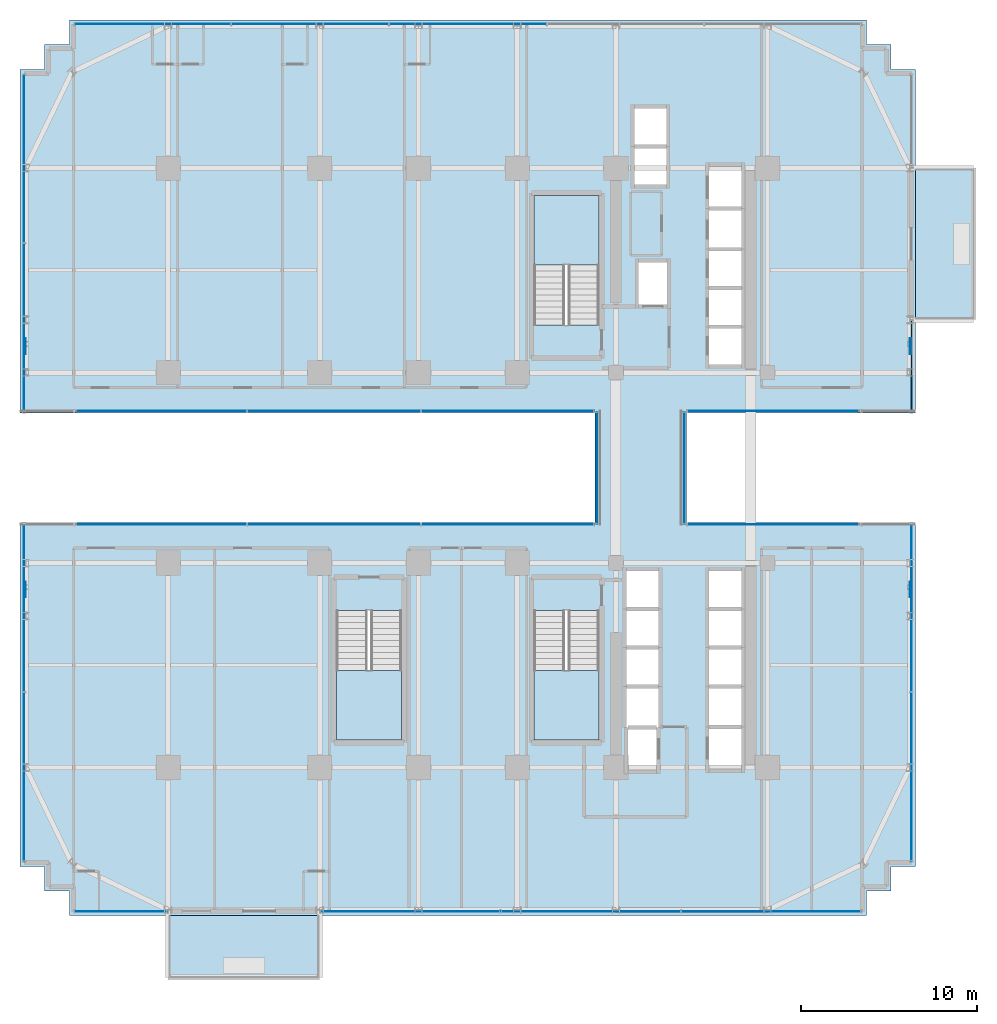
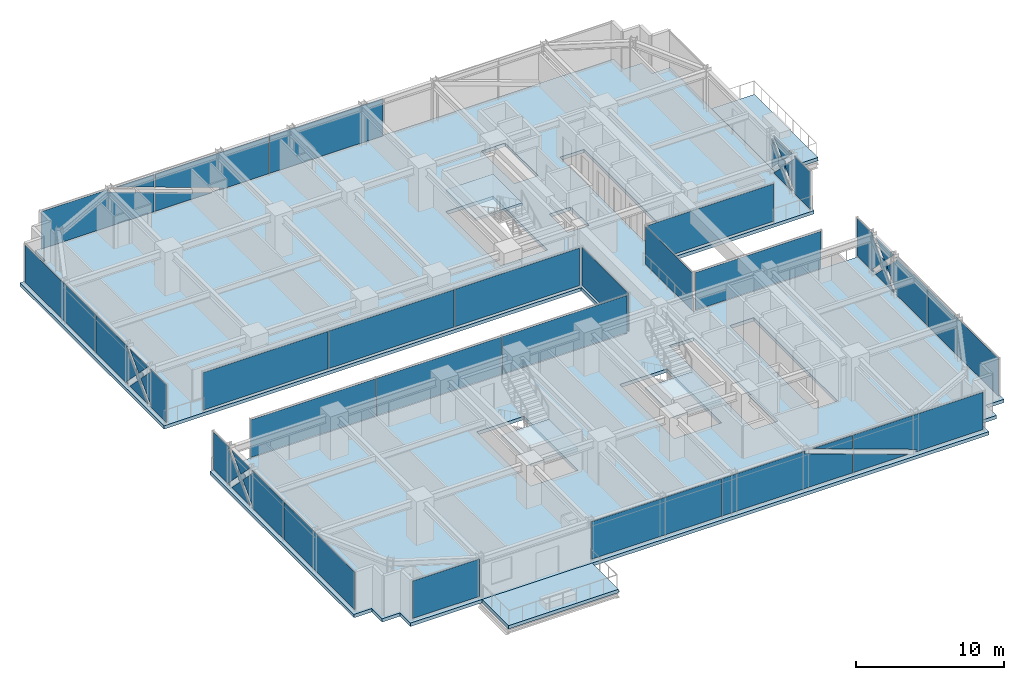
# One storey, part 34 of 43: 28 plates, 6 slabs, 16 elements without a shape of their own.
"""IFC4 building model written with IfcOpenShell, lengths in metres."""

from ifc_helpers import new_model, si_unit, direction, frame, origin, origin_2d, place, context, subcontext, project, spatial, polyline, rectangle, outline, extrude, source, transform, mapped, material, layer, layer_set, type_object, element, aggregate, save


model = new_model("IFC4")

# Units and contexts
model_context = context("Model", 3, precision=1e-05, world=origin(), true_north=direction((0.0, 1.0)))
body_context = subcontext(model_context, "Body", "Model", "MODEL_VIEW")
ifc_project = project(units=[si_unit("LENGTHUNIT", "METRE"), si_unit("AREAUNIT", "SQUARE_METRE"), si_unit("VOLUMEUNIT", "CUBIC_METRE"), si_unit("PLANEANGLEUNIT", "RADIAN"), si_unit("MASSUNIT", "GRAM", prefix="KILO")], contexts=[model_context])

# Site, building, storey
site_placement = place(None, origin())
site = spatial("IfcSite", under=ifc_project, at=site_placement, CompositionType="ELEMENT")
building_placement = place(site_placement, origin())
building = spatial("IfcBuilding", under=site, at=building_placement, Name="Nahalor Promenade Grand Hotel", CompositionType="ELEMENT")
storey_placement = place(building_placement, frame((0.0, 0.0, 57.949951171875)))
storey = spatial("IfcBuildingStorey", under=building, at=storey_placement, Name="L13", CompositionType="ELEMENT", Elevation=57.949951171875)

# Curtain wall, plates
ifc_material_1 = material(Name="Anodised Bronze Aluminium EN AW-6063 T6", Category="aluminium")
curtain_wall_type_1 = type_object("IfcCurtainWallType", Name="CW3 Elliptical-Void Collar Unitised Curtain Wall", PredefinedType="USERDEFINED", material=ifc_material_1)
curtain_wall_1_placement = place(storey_placement, origin())
curtain_wall_1 = element("IfcCurtainWall", 1, at=curtain_wall_1_placement, inside=storey, type_object=curtain_wall_type_1, Name="L13 Curtain Wall CW-L13-S-3", ObjectType="UNITISED_CURTAIN_WALL", PredefinedType="USERDEFINED")
ifc_material_2 = material(Name="Low-E Laminated Solar Glass", Category="glass")
ifc_layer_1 = layer(ifc_material_2, 0.030029296875)
ifc_layer_set_1 = layer_set([ifc_layer_1], Name="Low-E Laminated Solar Glass")
plate_type_1 = type_object("IfcPlateType", Name="CWP3 High-Wind Laminated Bronze IGU 30mm", PredefinedType="CURTAIN_PANEL", material=ifc_layer_set_1)
plate_1_placement = place(storey_placement, frame((6.97998046875, -25.159912109375, 0.14013671875), z_axis=(0.0, 0.0, 1.0), x_axis=(1.0, 0.0, 0.0)))
plate_1 = element("IfcPlate", 2, at=plate_1_placement, type_object=plate_type_1, Name="CW-L13-S-3 Glazing Panel 1-0", PredefinedType="CURTAIN_PANEL", context=body_context, shape_type="SweptSolid", body=[
    extrude(outline(polyline([(-5.091552734375, 0.0), (5.091552734375, 0.0), (5.091552734375, 1.556884765625), (1.3291015625, 2.900146484375), (1.39697265625, 3.090087890625), (-5.091552734375, 3.090087890625), (-5.091552734375, 0.0)])), frame((0.0, 0.01513671875, 0.0), z_axis=(0.0, -1.0, 0.0), x_axis=(1.0, 0.0, 0.0)), (0.0, 0.0, 1.0), 0.030029296875),
    extrude(outline(polyline([(5.091552734375, 1.981689453125), (5.091552734375, 3.090087890625), (1.98681640625, 3.090087890625), (5.091552734375, 1.981689453125)])), frame((0.0, 0.01513671875, 0.0), z_axis=(0.0, -1.0, 0.0), x_axis=(1.0, 0.0, 0.0)), (0.0, 0.0, 1.0), 0.030029296875),
])
plate_2_placement = place(storey_placement, frame((17.2158203125, -25.159912109375, 0.14013671875), z_axis=(0.0, 0.0, 1.0), x_axis=(1.0, 0.0, 0.0)))
plate_2 = element("IfcPlate", 3, at=plate_2_placement, type_object=plate_type_1, Name="CW-L13-S-3 Glazing Panel 2-0", PredefinedType="CURTAIN_PANEL", context=body_context, shape_type="SweptSolid", body=[
    extrude(outline(polyline([(5.07421875, 3.090087890625), (-5.07421875, 3.090087890625), (-5.07421875, 1.956787109375), (-0.125, 0.18994140625), (-0.19287109375, 0.0), (5.07421875, 0.0), (5.07421875, 3.090087890625)])), frame((0.0, 0.01513671875, 0.0), z_axis=(0.0, -1.0, 0.0), x_axis=(1.0, 0.0, 0.0)), (0.0, 0.0, 1.0), 0.030029296875),
    extrude(outline(polyline([(-5.07421875, 1.531982421875), (-5.07421875, 0.0), (-0.78271484375, 0.0), (-5.07421875, 1.531982421875)])), frame((0.0, 0.01513671875, 0.0), z_axis=(0.0, -1.0, 0.0), x_axis=(1.0, 0.0, 0.0)), (0.0, 0.0, 1.0), 0.030029296875),
])

curtain_wall_2_placement = place(storey_placement, origin())
curtain_wall_2 = element("IfcCurtainWall", 4, at=curtain_wall_2_placement, inside=storey, type_object=curtain_wall_type_1, Name="L13 Curtain Wall CW-L13-N-1", ObjectType="UNITISED_CURTAIN_WALL", PredefinedType="USERDEFINED")
plate_3_placement = place(storey_placement, frame((-17.87060546875, 25.159912109375, 0.14013671875), z_axis=(0.0, 0.0, 1.0), x_axis=(1.0, 0.0, 0.0)))
plate_3 = element("IfcPlate", 5, at=plate_3_placement, type_object=plate_type_1, Name="CW-L13-N-1 Glazing Panel 0-0", PredefinedType="CURTAIN_PANEL", context=body_context, shape_type="SweptSolid", body=[
    extrude(outline(polyline([(-4.41943359375, 0.0), (4.41943359375, 0.0), (4.41943359375, 1.600830078125), (0.77978515625, 2.900146484375), (0.847412109375, 3.090087890625), (-4.41943359375, 3.090087890625), (-4.41943359375, 0.0)])), frame((0.0, 0.01513671875, 0.0), z_axis=(0.0, -1.0, 0.0), x_axis=(1.0, 0.0, 0.0)), (0.0, 0.0, 1.0), 0.030029296875),
    extrude(outline(polyline([(4.41943359375, 2.025390625), (4.41943359375, 3.090087890625), (1.437255859375, 3.090087890625), (4.41943359375, 2.025390625)])), frame((0.0, 0.01513671875, 0.0), z_axis=(0.0, -1.0, 0.0), x_axis=(1.0, 0.0, 0.0)), (0.0, 0.0, 1.0), 0.030029296875),
])
plate_4_placement = place(storey_placement, frame((-8.944091796875, 25.159912109375, 0.14013671875), z_axis=(0.0, 0.0, 1.0), x_axis=(1.0, 0.0, 0.0)))
plate_4 = element("IfcPlate", 6, at=plate_4_placement, type_object=plate_type_1, Name="CW-L13-N-1 Glazing Panel 1-0", PredefinedType="CURTAIN_PANEL", context=body_context, shape_type="SweptSolid", body=[
    extrude(outline(polyline([(4.43701171875, 3.090087890625), (-4.43701171875, 3.090087890625), (-4.43701171875, 2.00048828125), (0.634765625, 0.18994140625), (0.56689453125, 0.0), (4.43701171875, 0.0), (4.43701171875, 3.090087890625)])), frame((0.0, 0.01513671875, 0.0), z_axis=(0.0, -1.0, 0.0), x_axis=(1.0, 0.0, 0.0)), (0.0, 0.0, 1.0), 0.030029296875),
    extrude(outline(polyline([(-4.43701171875, 1.57568359375), (-4.43701171875, 0.0), (-0.02294921875, 0.0), (-4.43701171875, 1.57568359375)])), frame((0.0, 0.01513671875, 0.0), z_axis=(0.0, -1.0, 0.0), x_axis=(1.0, 0.0, 0.0)), (0.0, 0.0, 1.0), 0.030029296875),
])

# Curtain wall, plate
curtain_wall_3_placement = place(storey_placement, origin())
curtain_wall_3 = element("IfcCurtainWall", 7, at=curtain_wall_3_placement, inside=storey, type_object=curtain_wall_type_1, Name="L13 Curtain Wall CW-L13-W-1", ObjectType="UNITISED_CURTAIN_WALL", PredefinedType="USERDEFINED")
plate_5_placement = place(storey_placement, frame((-25.159912109375, -7.9326171875, 0.14013671875), z_axis=(0.0, 0.0, 1.0), x_axis=(0.0, 1.0, 0.0)))
plate_5 = element("IfcPlate", 8, at=plate_5_placement, type_object=plate_type_1, Name="CW-L13-W-1 Glazing Panel 1-0", PredefinedType="CURTAIN_PANEL", context=body_context, shape_type="SweptSolid", body=[
    extrude(outline(polyline([(-4.762451171875, 3.090087890625), (-4.762451171875, 0.0), (-0.492919921875, 0.0), (-0.6279296875, 0.1318359375), (0.7529296875, 1.544921875), (-0.6279296875, 2.9580078125), (-0.492919921875, 3.090087890625), (-4.762451171875, 3.090087890625)])), frame((0.0, 0.01513671875, 0.0), z_axis=(0.0, -1.0, 0.0), x_axis=(1.0, 0.0, 0.0)), (0.0, 0.0, 1.0), 0.030029296875),
    extrude(outline(polyline([(1.032470703125, 1.2587890625), (-0.19775390625, 0.0), (2.2626953125, 0.0), (1.032470703125, 1.2587890625)])), frame((0.0, 0.01513671875, 0.0), z_axis=(0.0, -1.0, 0.0), x_axis=(1.0, 0.0, 0.0)), (0.0, 0.0, 1.0), 0.030029296875),
    extrude(outline(polyline([(1.032470703125, 1.831298828125), (2.2626953125, 3.090087890625), (-0.197509765625, 3.090087890625), (1.032470703125, 1.831298828125)])), frame((0.0, 0.01513671875, 0.0), z_axis=(0.0, -1.0, 0.0), x_axis=(1.0, 0.0, 0.0)), (0.0, 0.0, 1.0), 0.030029296875),
    extrude(outline(polyline([(4.762451171875, 0.0), (4.762451171875, 3.090087890625), (2.55810546875, 3.090087890625), (2.693115234375, 2.9580078125), (1.31201171875, 1.544921875), (2.693115234375, 0.1318359375), (2.55810546875, 0.0), (4.762451171875, 0.0)])), frame((0.0, 0.01513671875, 0.0), z_axis=(0.0, -1.0, 0.0), x_axis=(1.0, 0.0, 0.0)), (0.0, 0.0, 1.0), 0.030029296875),
])

curtain_wall_4_placement = place(storey_placement, origin())
curtain_wall_4 = element("IfcCurtainWall", 9, at=curtain_wall_4_placement, inside=storey, type_object=curtain_wall_type_1, Name="L13 Curtain Wall CW-L13-W-2", ObjectType="UNITISED_CURTAIN_WALL", PredefinedType="USERDEFINED")
plate_6_placement = place(storey_placement, frame((-25.159912109375, 7.9326171875, 0.14013671875), z_axis=(0.0, 0.0, 1.0), x_axis=(0.0, 1.0, 0.0)))
plate_6 = element("IfcPlate", 10, at=plate_6_placement, type_object=plate_type_1, Name="CW-L13-W-2 Glazing Panel 0-0", PredefinedType="CURTAIN_PANEL", context=body_context, shape_type="SweptSolid", body=[
    extrude(outline(polyline([(-4.762451171875, 3.090087890625), (-4.762451171875, 0.0), (-2.55810546875, 0.0), (-2.693115234375, 0.1318359375), (-1.31201171875, 1.544921875), (-2.693115234375, 2.9580078125), (-2.55810546875, 3.090087890625), (-4.762451171875, 3.090087890625)])), frame((0.0, 0.01513671875, 0.0), z_axis=(0.0, -1.0, 0.0), x_axis=(1.0, 0.0, 0.0)), (0.0, 0.0, 1.0), 0.030029296875),
    extrude(outline(polyline([(-1.032470703125, 1.2587890625), (-2.2626953125, 0.0), (0.197509765625, 0.0), (-1.032470703125, 1.2587890625)])), frame((0.0, 0.01513671875, 0.0), z_axis=(0.0, -1.0, 0.0), x_axis=(1.0, 0.0, 0.0)), (0.0, 0.0, 1.0), 0.030029296875),
    extrude(outline(polyline([(-1.032470703125, 1.831298828125), (0.19775390625, 3.090087890625), (-2.2626953125, 3.090087890625), (-1.032470703125, 1.831298828125)])), frame((0.0, 0.01513671875, 0.0), z_axis=(0.0, -1.0, 0.0), x_axis=(1.0, 0.0, 0.0)), (0.0, 0.0, 1.0), 0.030029296875),
    extrude(outline(polyline([(4.762451171875, 0.0), (4.762451171875, 3.090087890625), (0.492919921875, 3.090087890625), (0.6279296875, 2.9580078125), (-0.7529296875, 1.544921875), (0.6279296875, 0.1318359375), (0.492919921875, 0.0), (4.762451171875, 0.0)])), frame((0.0, 0.01513671875, 0.0), z_axis=(0.0, -1.0, 0.0), x_axis=(1.0, 0.0, 0.0)), (0.0, 0.0, 1.0), 0.030029296875),
])

curtain_wall_5_placement = place(storey_placement, origin())
curtain_wall_5 = element("IfcCurtainWall", 11, at=curtain_wall_5_placement, inside=storey, type_object=curtain_wall_type_1, Name="L13 Curtain Wall CW-L13-E-1", ObjectType="UNITISED_CURTAIN_WALL", PredefinedType="USERDEFINED")
plate_7_placement = place(storey_placement, frame((25.159912109375, -7.9326171875, 0.14013671875), z_axis=(0.0, 0.0, 1.0), x_axis=(0.0, 1.0, 0.0)))
plate_7 = element("IfcPlate", 12, at=plate_7_placement, type_object=plate_type_1, Name="CW-L13-E-1 Glazing Panel 1-0", PredefinedType="CURTAIN_PANEL", context=body_context, shape_type="SweptSolid", body=[
    extrude(outline(polyline([(-4.762451171875, 3.090087890625), (-4.762451171875, 0.0), (-0.492919921875, 0.0), (-0.6279296875, 0.1318359375), (0.7529296875, 1.544921875), (-0.6279296875, 2.9580078125), (-0.492919921875, 3.090087890625), (-4.762451171875, 3.090087890625)])), frame((0.0, 0.01513671875, 0.0), z_axis=(0.0, -1.0, 0.0), x_axis=(1.0, 0.0, 0.0)), (0.0, 0.0, 1.0), 0.030029296875),
    extrude(outline(polyline([(1.032470703125, 1.2587890625), (-0.19775390625, 0.0), (2.2626953125, 0.0), (1.032470703125, 1.2587890625)])), frame((0.0, 0.01513671875, 0.0), z_axis=(0.0, -1.0, 0.0), x_axis=(1.0, 0.0, 0.0)), (0.0, 0.0, 1.0), 0.030029296875),
    extrude(outline(polyline([(1.032470703125, 1.831298828125), (2.2626953125, 3.090087890625), (-0.197509765625, 3.090087890625), (1.032470703125, 1.831298828125)])), frame((0.0, 0.01513671875, 0.0), z_axis=(0.0, -1.0, 0.0), x_axis=(1.0, 0.0, 0.0)), (0.0, 0.0, 1.0), 0.030029296875),
    extrude(outline(polyline([(4.762451171875, 0.0), (4.762451171875, 3.090087890625), (2.55810546875, 3.090087890625), (2.693115234375, 2.9580078125), (1.31201171875, 1.544921875), (2.693115234375, 0.1318359375), (2.55810546875, 0.0), (4.762451171875, 0.0)])), frame((0.0, 0.01513671875, 0.0), z_axis=(0.0, -1.0, 0.0), x_axis=(1.0, 0.0, 0.0)), (0.0, 0.0, 1.0), 0.030029296875),
])

curtain_wall_6_placement = place(storey_placement, origin())
curtain_wall_6 = element("IfcCurtainWall", 13, at=curtain_wall_6_placement, inside=storey, type_object=curtain_wall_type_1, Name="L13 Curtain Wall CW-L13-E-2", ObjectType="UNITISED_CURTAIN_WALL", PredefinedType="USERDEFINED")
plate_8_placement = place(storey_placement, frame((25.159912109375, 5.75, 0.14013671875), z_axis=(0.0, 0.0, 1.0), x_axis=(0.0, 1.0, 0.0)))
plate_8 = element("IfcPlate", 14, at=plate_8_placement, type_object=plate_type_1, Name="CW-L13-E-2 Glazing Panel 0-0", PredefinedType="CURTAIN_PANEL", context=body_context, shape_type="SweptSolid", body=[
    extrude(outline(polyline([(-2.580078125, 3.090087890625), (-2.580078125, 0.0), (-0.37548828125, 0.0), (-0.510498046875, 0.1318359375), (0.870361328125, 1.544921875), (-0.510498046875, 2.9580078125), (-0.37548828125, 3.090087890625), (-2.580078125, 3.090087890625)])), frame((0.0, 0.01513671875, 0.0), z_axis=(0.0, -1.0, 0.0), x_axis=(1.0, 0.0, 0.0)), (0.0, 0.0, 1.0), 0.030029296875),
    extrude(outline(polyline([(1.14990234375, 1.2587890625), (-0.080078125, 0.0), (2.380126953125, 0.0), (1.14990234375, 1.2587890625)])), frame((0.0, 0.01513671875, 0.0), z_axis=(0.0, -1.0, 0.0), x_axis=(1.0, 0.0, 0.0)), (0.0, 0.0, 1.0), 0.030029296875),
    extrude(outline(polyline([(1.14990234375, 1.831298828125), (2.380126953125, 3.090087890625), (-0.080078125, 3.090087890625), (1.14990234375, 1.831298828125)])), frame((0.0, 0.01513671875, 0.0), z_axis=(0.0, -1.0, 0.0), x_axis=(1.0, 0.0, 0.0)), (0.0, 0.0, 1.0), 0.030029296875),
    extrude(outline(polyline([(1.4296875, 1.544921875), (2.580078125, 0.36767578125), (2.580078125, 2.72216796875), (1.4296875, 1.544921875)])), frame((0.0, 0.01513671875, 0.0), z_axis=(0.0, -1.0, 0.0), x_axis=(1.0, 0.0, 0.0)), (0.0, 0.0, 1.0), 0.030029296875),
])
aggregate(curtain_wall_6, [plate_8])

# Stair, slab
ifc_material_3 = material(Name="Concrete B-50 (C40/50)", Category="concrete")
stair_type_1 = type_object("IfcStairType", Name="Stair-ST1", PredefinedType="HALF_TURN_STAIR", material=ifc_material_3)
stair_1_placement = place(storey_placement, origin())
stair_1 = element("IfcStair", 15, at=stair_1_placement, inside=storey, type_object=stair_type_1, Name="L13 ST1", PredefinedType="HALF_TURN_STAIR")
ifc_layer_2 = layer(ifc_material_3, 0.199951171875)
ifc_layer_set_2 = layer_set([ifc_layer_2], Name="Concrete B-50 (C40/50)")
slab_type_1 = type_object("IfcSlabType", Name="Landing-ST1", PredefinedType="LANDING", material=ifc_layer_set_2)
slab_1_placement = place(storey_placement, frame((0.0, 0.0, 1.625)))
slab_1 = element("IfcSlab", 16, at=slab_1_placement, type_object=slab_type_1, Name="ST1 landing 1", PredefinedType="LANDING", context=body_context, shape_type="SweptSolid", body=[
    extrude(outline(polyline([(7.449951171875, 11.5), (7.449951171875, 15.449951171875), (3.75, 15.449951171875), (3.75, 11.5), (7.449951171875, 11.5)])), origin(), (0.0, 0.0, 1.0), 0.199951171875),
])
aggregate(stair_1, [slab_1])

stair_type_2 = type_object("IfcStairType", Name="Stair-ST2", PredefinedType="HALF_TURN_STAIR", material=ifc_material_3)
stair_2_placement = place(storey_placement, origin())
stair_2 = element("IfcStair", 17, at=stair_2_placement, inside=storey, type_object=stair_type_2, Name="L13 ST2", PredefinedType="HALF_TURN_STAIR")
ifc_layer_3 = layer(ifc_material_3, 0.2099609375)
ifc_layer_set_3 = layer_set([ifc_layer_3], Name="Concrete B-50 (C40/50)")
slab_type_2 = type_object("IfcSlabType", Name="Landing-ST2", PredefinedType="LANDING", material=ifc_layer_set_3)
slab_2_placement = place(storey_placement, frame((0.0, 0.0, 1.614990234375)))
slab_2 = element("IfcSlab", 18, at=slab_2_placement, type_object=slab_type_2, Name="ST2 landing 1", PredefinedType="LANDING", context=body_context, shape_type="SweptSolid", body=[
    extrude(outline(polyline([(3.75, -11.5), (3.75, -15.449951171875), (7.449951171875, -15.449951171875), (7.449951171875, -11.5), (3.75, -11.5)])), origin(), (0.0, 0.0, 1.0), 0.2099609375),
])
aggregate(stair_2, [slab_2])

stair_type_3 = type_object("IfcStairType", Name="Stair-ST3", PredefinedType="HALF_TURN_STAIR", material=ifc_material_3)
stair_3_placement = place(storey_placement, origin())
stair_3 = element("IfcStair", 19, at=stair_3_placement, inside=storey, type_object=stair_type_3, Name="L13 ST3", PredefinedType="HALF_TURN_STAIR")
ifc_layer_4 = layer(ifc_material_3, 0.219970703125)
ifc_layer_set_4 = layer_set([ifc_layer_4], Name="Concrete B-50 (C40/50)")
slab_type_3 = type_object("IfcSlabType", Name="Landing-ST3", PredefinedType="LANDING", material=ifc_layer_set_4)
slab_3_placement = place(storey_placement, frame((0.0, 0.0, 1.60498046875)))
slab_3 = element("IfcSlab", 20, at=slab_3_placement, type_object=slab_type_3, Name="ST3 landing 1", PredefinedType="LANDING", context=body_context, shape_type="SweptSolid", body=[
    extrude(outline(polyline([(-7.449951171875, -11.5), (-7.449951171875, -15.449951171875), (-3.75, -15.449951171875), (-3.75, -11.5), (-7.449951171875, -11.5)])), origin(), (0.0, 0.0, 1.0), 0.219970703125),
])
aggregate(stair_3, [slab_3])

# Slabs
ifc_layer_5 = layer(ifc_material_3, 0.280029296875)
ifc_layer_set_5 = layer_set([ifc_layer_5], Name="Concrete B-50 (C40/50)")
slab_type_4 = type_object("IfcSlabType", Name="Slab-Balcony-280", PredefinedType="FLOOR", material=ifc_layer_set_5)
slab_4_placement = place(storey_placement, frame((0.0, 0.0, -0.280029296875)))
element("IfcSlab", 21, at=slab_4_placement, inside=storey, type_object=slab_type_4, Name="L13 Cantilevered Planted Balcony 1", PredefinedType="FLOOR", context=body_context, shape_type="SweptSolid", body=[
    extrude(outline(polyline([(-17.0, -28.97998046875), (-8.39990234375, -28.97998046875), (-8.39990234375, -25.39990234375), (-17.0, -25.39990234375), (-17.0, -28.97998046875)])), origin(), (0.0, 0.0, 1.0), 0.280029296875),
])
slab_5_placement = place(storey_placement, frame((0.0, 0.0, -0.280029296875)))
element("IfcSlab", 22, at=slab_5_placement, inside=storey, type_object=slab_type_4, Name="L13 Cantilevered Planted Balcony 2", PredefinedType="FLOOR", context=body_context, shape_type="SweptSolid", body=[
    extrude(outline(polyline([(25.39990234375, 8.39990234375), (28.760009765625, 8.39990234375), (28.760009765625, 17.0), (25.39990234375, 17.0), (25.39990234375, 8.39990234375)])), origin(), (0.0, 0.0, 1.0), 0.280029296875),
])
ifc_layer_6 = layer(ifc_material_3, 0.280029296875)
ifc_layer_set_6 = layer_set([ifc_layer_6], Name="Concrete B-50 (C40/50)")
slab_type_5 = type_object("IfcSlabType", Name="Slab-TowerZ1-280", PredefinedType="FLOOR", material=ifc_layer_set_6)
slab_6_placement = place(storey_placement, frame((0.0, 0.0, -0.280029296875)))
element("IfcSlab", 23, at=slab_6_placement, inside=storey, type_object=slab_type_5, Name="L13 Suspended Structural Floor Slab", PredefinedType="FLOOR", context=body_context, shape_type="SweptSolid", body=[
    extrude(outline(polyline([(-22.60009765625, -25.39990234375), (22.60009765625, -25.39990234375), (22.60009765625, -24.0), (24.0, -24.0), (24.0, -22.60009765625), (25.39990234375, -22.60009765625), (25.39990234375, -3.10009765625), (12.39990234375, -3.10009765625), (12.39990234375, 3.10009765625), (25.39990234375, 3.10009765625), (25.39990234375, 22.60009765625), (24.0, 22.60009765625), (24.0, 24.0), (22.60009765625, 24.0), (22.60009765625, 25.39990234375), (-22.60009765625, 25.39990234375), (-22.60009765625, 24.0), (-24.0, 24.0), (-24.0, 22.60009765625), (-25.39990234375, 22.60009765625), (-25.39990234375, 3.10009765625), (7.199951171875, 3.10009765625), (7.199951171875, -3.10009765625), (-25.39990234375, -3.10009765625), (-25.39990234375, -22.60009765625), (-24.0, -22.60009765625), (-24.0, -24.0), (-22.60009765625, -24.0), (-22.60009765625, -25.39990234375)]), holes=[polyline([(3.75, 8.10009765625), (7.449951171875, 8.10009765625), (7.449951171875, 15.449951171875), (3.75, 15.449951171875), (3.75, 8.10009765625)]), polyline([(3.75, -15.449951171875), (7.449951171875, -15.449951171875), (7.449951171875, -8.10009765625), (3.75, -8.10009765625), (3.75, -15.449951171875)]), polyline([(-7.449951171875, -15.449951171875), (-3.75, -15.449951171875), (-3.75, -8.10009765625), (-7.449951171875, -8.10009765625), (-7.449951171875, -15.449951171875)]), polyline([(13.659912109375, 5.81005859375), (15.5400390625, 5.81005859375), (15.5400390625, 17.139892578125), (13.659912109375, 17.139892578125), (13.659912109375, 5.81005859375)]), polyline([(13.659912109375, -17.139892578125), (15.5400390625, -17.139892578125), (15.5400390625, -5.81005859375), (13.659912109375, -5.81005859375), (13.659912109375, -17.139892578125)]), polyline([(8.9599609375, -17.18994140625), (10.840087890625, -17.18994140625), (10.840087890625, -5.81005859375), (8.9599609375, -5.81005859375), (8.9599609375, -17.18994140625)]), polyline([(9.409912109375, 16.010009765625), (11.2900390625, 16.010009765625), (11.2900390625, 20.43994140625), (9.409912109375, 20.43994140625), (9.409912109375, 16.010009765625)]), polyline([(9.659912109375, 9.2099609375), (11.340087890625, 9.2099609375), (11.340087890625, 11.68994140625), (9.659912109375, 11.68994140625), (9.659912109375, 9.2099609375)])]), origin(), (0.0, 0.0, 1.0), 0.280029296875),
])

# Plates
ifc_material_4 = material(Name="Steel S355J2", Category="steel")
ifc_layer_7 = layer(ifc_material_4, 0.035888671875)
ifc_layer_set_7 = layer_set([ifc_layer_7], Name="Steel S355J2")
plate_type_2 = type_object("IfcPlateType", Name="Plate-CrossGusset-36", PredefinedType="USERDEFINED", material=ifc_layer_set_7)
shared_shape_1 = source(origin(), body_context, "Body", "SweptSolid", [
    extrude(rectangle(XDim=0.89990234375, YDim=0.035888671875, at=origin_2d()), origin(), (0.0, 0.0, 1.0), 0.89990234375),
])
for number, where, z_axis, x_axis, name in (
    (24, (-25.080078125, -6.89990234375, 1.235107421875), (0.0, 0.0, 1.0), (0.0, 1.0, 0.0), "PL-L13-VXX-W0"),
    (25, (-25.080078125, 6.89990234375, 1.235107421875), (0.0, 0.0, 1.0), (0.0, 1.0, 0.0), "PL-L13-VXX-W1"),
    (26, (25.080078125, -6.89990234375, 1.235107421875), (0.0, 0.0, 1.0), (0.0, 1.0, 0.0), "PL-L13-VXX-E0"),
    (27, (25.080078125, 6.89990234375, 1.235107421875), (0.0, 0.0, 1.0), (0.0, 1.0, 0.0), "PL-L13-VXX-E1"),
):
    element("IfcPlate", number, at=place(storey_placement, frame(where, z_axis=z_axis, x_axis=x_axis)), inside=storey, type_object=plate_type_2, Name=name, ObjectType="GUSSET_PLATE", PredefinedType="USERDEFINED", context=body_context, shape_type="MappedRepresentation", body=[
        mapped(shared_shape_1, transform((0.0, 0.0, 0.0), scale=1.0)),
    ])

# Curtain wall, plate
curtain_wall_7_placement = place(storey_placement, origin())
curtain_wall_7 = element("IfcCurtainWall", 28, at=curtain_wall_7_placement, inside=storey, type_object=curtain_wall_type_1, Name="L13 Curtain Wall CW-L13-S-1", ObjectType="UNITISED_CURTAIN_WALL", PredefinedType="USERDEFINED")
shared_shape_2 = source(origin(), body_context, "Body", "SweptSolid", [
    extrude(rectangle(XDim=5.219970703125, YDim=0.030029296875, at=origin_2d()), origin(), (0.0, 0.0, 1.0), 3.090087890625),
])
plate_9_placement = place(storey_placement, frame((-19.679931640625, -25.159912109375, 0.14013671875), z_axis=(0.0, 0.0, 1.0), x_axis=(1.0, 0.0, 0.0)))
plate_9 = element("IfcPlate", 29, at=plate_9_placement, type_object=plate_type_1, Name="CW-L13-S-1 Glazing Panel 0-0", PredefinedType="CURTAIN_PANEL", context=body_context, shape_type="MappedRepresentation", body=[
    mapped(shared_shape_2, transform((0.0, 0.0, 0.0), scale=1.0)),
])
aggregate(curtain_wall_7, [plate_9])

# Plate
shared_shape_3 = source(origin(), body_context, "Body", "SweptSolid", [
    extrude(rectangle(XDim=10.1484375, YDim=0.030029296875, at=origin_2d()), origin(), (0.0, 0.0, 1.0), 3.090087890625),
])
plate_10_placement = place(storey_placement, frame((-3.255859375, -25.159912109375, 0.14013671875), z_axis=(0.0, 0.0, 1.0), x_axis=(1.0, 0.0, 0.0)))
plate_10 = element("IfcPlate", 30, at=plate_10_placement, type_object=plate_type_1, Name="CW-L13-S-3 Glazing Panel 0-0", PredefinedType="CURTAIN_PANEL", context=body_context, shape_type="MappedRepresentation", body=[
    mapped(shared_shape_3, transform((0.0, 0.0, 0.0), scale=1.0)),
])

aggregate(curtain_wall_1, [plate_10, plate_1, plate_2])

shared_shape_4 = source(origin(), body_context, "Body", "SweptSolid", [
    extrude(rectangle(XDim=8.8740234375, YDim=0.030029296875, at=origin_2d()), origin(), (0.0, 0.0, 1.0), 3.090087890625),
])
plate_11_placement = place(storey_placement, frame((0.0, 25.159912109375, 0.14013671875), z_axis=(0.0, 0.0, 1.0), x_axis=(1.0, 0.0, 0.0)))
plate_11 = element("IfcPlate", 31, at=plate_11_placement, type_object=plate_type_1, Name="CW-L13-N-1 Glazing Panel 2-0", PredefinedType="CURTAIN_PANEL", context=body_context, shape_type="MappedRepresentation", body=[
    mapped(shared_shape_4, transform((0.0, 0.0, 0.0), scale=1.0)),
])

aggregate(curtain_wall_2, [plate_3, plate_4, plate_11])

# Curtain wall, plates
curtain_wall_8_placement = place(storey_placement, origin())
curtain_wall_8 = element("IfcCurtainWall", 32, at=curtain_wall_8_placement, inside=storey, type_object=curtain_wall_type_1, Name="L13 Curtain Wall CW-L13-VOID-WS1", ObjectType="UNITISED_CURTAIN_WALL", PredefinedType="USERDEFINED")
shared_shape_5 = source(origin(), body_context, "Body", "SweptSolid", [
    extrude(rectangle(XDim=9.748291015625, YDim=0.030029296875, at=origin_2d()), origin(), (0.0, 0.0, 1.0), 3.090087890625),
])
plate_12_placement = place(storey_placement, frame((-17.415771484375, -3.219970703125, 0.14013671875), z_axis=(0.0, 0.0, 1.0), x_axis=(1.0, 0.0, 0.0)))
plate_12 = element("IfcPlate", 33, at=plate_12_placement, type_object=plate_type_1, Name="CW-L13-VOID-WS1 Glazing Panel 0-0", PredefinedType="CURTAIN_PANEL", context=body_context, shape_type="MappedRepresentation", body=[
    mapped(shared_shape_5, transform((0.0, 0.0, 0.0), scale=1.0)),
])
plate_13_placement = place(storey_placement, frame((2.255859375, -3.219970703125, 0.14013671875), z_axis=(0.0, 0.0, 1.0), x_axis=(1.0, 0.0, 0.0)))
plate_13 = element("IfcPlate", 34, at=plate_13_placement, type_object=plate_type_1, Name="CW-L13-VOID-WS1 Glazing Panel 2-0", PredefinedType="CURTAIN_PANEL", context=body_context, shape_type="MappedRepresentation", body=[
    mapped(shared_shape_5, transform((0.0, 0.0, 0.0), scale=1.0)),
])

curtain_wall_9_placement = place(storey_placement, origin())
curtain_wall_9 = element("IfcCurtainWall", 35, at=curtain_wall_9_placement, inside=storey, type_object=curtain_wall_type_1, Name="L13 Curtain Wall CW-L13-VOID-WN1", ObjectType="UNITISED_CURTAIN_WALL", PredefinedType="USERDEFINED")
plate_14_placement = place(storey_placement, frame((-17.415771484375, 3.219970703125, 0.14013671875), z_axis=(0.0, 0.0, 1.0), x_axis=(1.0, 0.0, 0.0)))
plate_14 = element("IfcPlate", 36, at=plate_14_placement, type_object=plate_type_1, Name="CW-L13-VOID-WN1 Glazing Panel 0-0", PredefinedType="CURTAIN_PANEL", context=body_context, shape_type="MappedRepresentation", body=[
    mapped(shared_shape_5, transform((0.0, 0.0, 0.0), scale=1.0)),
])
plate_15_placement = place(storey_placement, frame((2.255859375, 3.219970703125, 0.14013671875), z_axis=(0.0, 0.0, 1.0), x_axis=(1.0, 0.0, 0.0)))
plate_15 = element("IfcPlate", 37, at=plate_15_placement, type_object=plate_type_1, Name="CW-L13-VOID-WN1 Glazing Panel 2-0", PredefinedType="CURTAIN_PANEL", context=body_context, shape_type="MappedRepresentation", body=[
    mapped(shared_shape_5, transform((0.0, 0.0, 0.0), scale=1.0)),
])

# Plate
shared_shape_6 = source(origin(), body_context, "Body", "SweptSolid", [
    extrude(rectangle(XDim=9.783447265625, YDim=0.030029296875, at=origin_2d()), origin(), (0.0, 0.0, 1.0), 3.090087890625),
])
plate_16_placement = place(storey_placement, frame((-7.580078125, -3.219970703125, 0.14013671875), z_axis=(0.0, 0.0, 1.0), x_axis=(1.0, 0.0, 0.0)))
plate_16 = element("IfcPlate", 38, at=plate_16_placement, type_object=plate_type_1, Name="CW-L13-VOID-WS1 Glazing Panel 1-0", PredefinedType="CURTAIN_PANEL", context=body_context, shape_type="MappedRepresentation", body=[
    mapped(shared_shape_6, transform((0.0, 0.0, 0.0), scale=1.0)),
])

aggregate(curtain_wall_8, [plate_12, plate_16, plate_13])

plate_17_placement = place(storey_placement, frame((-7.580078125, 3.219970703125, 0.14013671875), z_axis=(0.0, 0.0, 1.0), x_axis=(1.0, 0.0, 0.0)))
plate_17 = element("IfcPlate", 39, at=plate_17_placement, type_object=plate_type_1, Name="CW-L13-VOID-WN1 Glazing Panel 1-0", PredefinedType="CURTAIN_PANEL", context=body_context, shape_type="MappedRepresentation", body=[
    mapped(shared_shape_6, transform((0.0, 0.0, 0.0), scale=1.0)),
])

aggregate(curtain_wall_9, [plate_14, plate_17, plate_15])

# Curtain wall, plate
curtain_wall_10_placement = place(storey_placement, origin())
curtain_wall_10 = element("IfcCurtainWall", 40, at=curtain_wall_10_placement, inside=storey, type_object=curtain_wall_type_1, Name="L13 Curtain Wall CW-L13-VOID-ES1", ObjectType="UNITISED_CURTAIN_WALL", PredefinedType="USERDEFINED")
shared_shape_7 = source(origin(), body_context, "Body", "SweptSolid", [
    extrude(rectangle(XDim=9.820068359375, YDim=0.030029296875, at=origin_2d()), origin(), (0.0, 0.0, 1.0), 3.090087890625),
])
plate_18_placement = place(storey_placement, frame((17.3798828125, -3.219970703125, 0.14013671875), z_axis=(0.0, 0.0, 1.0), x_axis=(1.0, 0.0, 0.0)))
plate_18 = element("IfcPlate", 41, at=plate_18_placement, type_object=plate_type_1, Name="CW-L13-VOID-ES1 Glazing Panel 0-0", PredefinedType="CURTAIN_PANEL", context=body_context, shape_type="MappedRepresentation", body=[
    mapped(shared_shape_7, transform((0.0, 0.0, 0.0), scale=1.0)),
])
aggregate(curtain_wall_10, [plate_18])

curtain_wall_11_placement = place(storey_placement, origin())
curtain_wall_11 = element("IfcCurtainWall", 42, at=curtain_wall_11_placement, inside=storey, type_object=curtain_wall_type_1, Name="L13 Curtain Wall CW-L13-VOID-EN1", ObjectType="UNITISED_CURTAIN_WALL", PredefinedType="USERDEFINED")
plate_19_placement = place(storey_placement, frame((17.3798828125, 3.219970703125, 0.14013671875), z_axis=(0.0, 0.0, 1.0), x_axis=(1.0, 0.0, 0.0)))
plate_19 = element("IfcPlate", 43, at=plate_19_placement, type_object=plate_type_1, Name="CW-L13-VOID-EN1 Glazing Panel 0-0", PredefinedType="CURTAIN_PANEL", context=body_context, shape_type="MappedRepresentation", body=[
    mapped(shared_shape_7, transform((0.0, 0.0, 0.0), scale=1.0)),
])
aggregate(curtain_wall_11, [plate_19])

# Plate
shared_shape_8 = source(origin(), body_context, "Body", "SweptSolid", [
    extrude(rectangle(XDim=9.52490234375, YDim=0.030029296875, at=origin_2d()), origin(), (0.0, 0.0, 1.0), 3.090087890625),
])
plate_20_placement = place(storey_placement, frame((-25.159912109375, -17.527587890625, 0.14013671875), z_axis=(0.0, 0.0, 1.0), x_axis=(0.0, 1.0, 0.0)))
plate_20 = element("IfcPlate", 44, at=plate_20_placement, type_object=plate_type_1, Name="CW-L13-W-1 Glazing Panel 0-0", PredefinedType="CURTAIN_PANEL", context=body_context, shape_type="MappedRepresentation", body=[
    mapped(shared_shape_8, transform((0.0, 0.0, 0.0), scale=1.0)),
])

aggregate(curtain_wall_3, [plate_20, plate_5])

plate_21_placement = place(storey_placement, frame((-25.159912109375, 17.527587890625, 0.14013671875), z_axis=(0.0, 0.0, 1.0), x_axis=(0.0, 1.0, 0.0)))
plate_21 = element("IfcPlate", 45, at=plate_21_placement, type_object=plate_type_1, Name="CW-L13-W-2 Glazing Panel 1-0", PredefinedType="CURTAIN_PANEL", context=body_context, shape_type="MappedRepresentation", body=[
    mapped(shared_shape_8, transform((0.0, 0.0, 0.0), scale=1.0)),
])

aggregate(curtain_wall_4, [plate_6, plate_21])

plate_22_placement = place(storey_placement, frame((25.159912109375, -17.527587890625, 0.14013671875), z_axis=(0.0, 0.0, 1.0), x_axis=(0.0, 1.0, 0.0)))
plate_22 = element("IfcPlate", 46, at=plate_22_placement, type_object=plate_type_1, Name="CW-L13-E-1 Glazing Panel 0-0", PredefinedType="CURTAIN_PANEL", context=body_context, shape_type="MappedRepresentation", body=[
    mapped(shared_shape_8, transform((0.0, 0.0, 0.0), scale=1.0)),
])

aggregate(curtain_wall_5, [plate_22, plate_7])

# Curtain wall, plate
curtain_wall_type_2 = type_object("IfcCurtainWallType", Name="CW4 Low-Iron Sky-Gallery Bridge Curtain Wall", PredefinedType="USERDEFINED", material=ifc_material_1)
curtain_wall_12_placement = place(storey_placement, origin())
curtain_wall_12 = element("IfcCurtainWall", 47, at=curtain_wall_12_placement, inside=storey, type_object=curtain_wall_type_2, Name="L13 Curtain Wall CW-L13-BRG-W", ObjectType="UNITISED_CURTAIN_WALL", PredefinedType="USERDEFINED")
ifc_layer_8 = layer(ifc_material_2, 0.02587890625)
ifc_layer_set_8 = layer_set([ifc_layer_8], Name="Low-E Laminated Solar Glass")
plate_type_3 = type_object("IfcPlateType", Name="CWP4 Ultra-Clear Low-Iron Bridge IGU 26mm", PredefinedType="CURTAIN_PANEL", material=ifc_layer_set_8)
shared_shape_9 = source(origin(), body_context, "Body", "SweptSolid", [
    extrude(rectangle(XDim=6.320068359375, YDim=0.02587890625, at=origin_2d()), origin(), (0.0, 0.0, 1.0), 3.1298828125),
])
plate_23_placement = place(storey_placement, frame((7.320068359375, 0.0, 0.1201171875), z_axis=(0.0, 0.0, 1.0), x_axis=(0.0, 1.0, 0.0)))
plate_23 = element("IfcPlate", 48, at=plate_23_placement, type_object=plate_type_3, Name="CW-L13-BRG-W Glazing Panel 0-0", PredefinedType="CURTAIN_PANEL", context=body_context, shape_type="MappedRepresentation", body=[
    mapped(shared_shape_9, transform((0.0, 0.0, 0.0), scale=1.0)),
])
aggregate(curtain_wall_12, [plate_23])

curtain_wall_13_placement = place(storey_placement, origin())
curtain_wall_13 = element("IfcCurtainWall", 49, at=curtain_wall_13_placement, inside=storey, type_object=curtain_wall_type_2, Name="L13 Curtain Wall CW-L13-BRG-E", ObjectType="UNITISED_CURTAIN_WALL", PredefinedType="USERDEFINED")
plate_24_placement = place(storey_placement, frame((12.280029296875, 0.0, 0.1201171875), z_axis=(0.0, 0.0, 1.0), x_axis=(0.0, 1.0, 0.0)))
plate_24 = element("IfcPlate", 50, at=plate_24_placement, type_object=plate_type_3, Name="CW-L13-BRG-E Glazing Panel 0-0", PredefinedType="CURTAIN_PANEL", context=body_context, shape_type="MappedRepresentation", body=[
    mapped(shared_shape_9, transform((0.0, 0.0, 0.0), scale=1.0)),
])
aggregate(curtain_wall_13, [plate_24])

save(model, "model.ifc")
